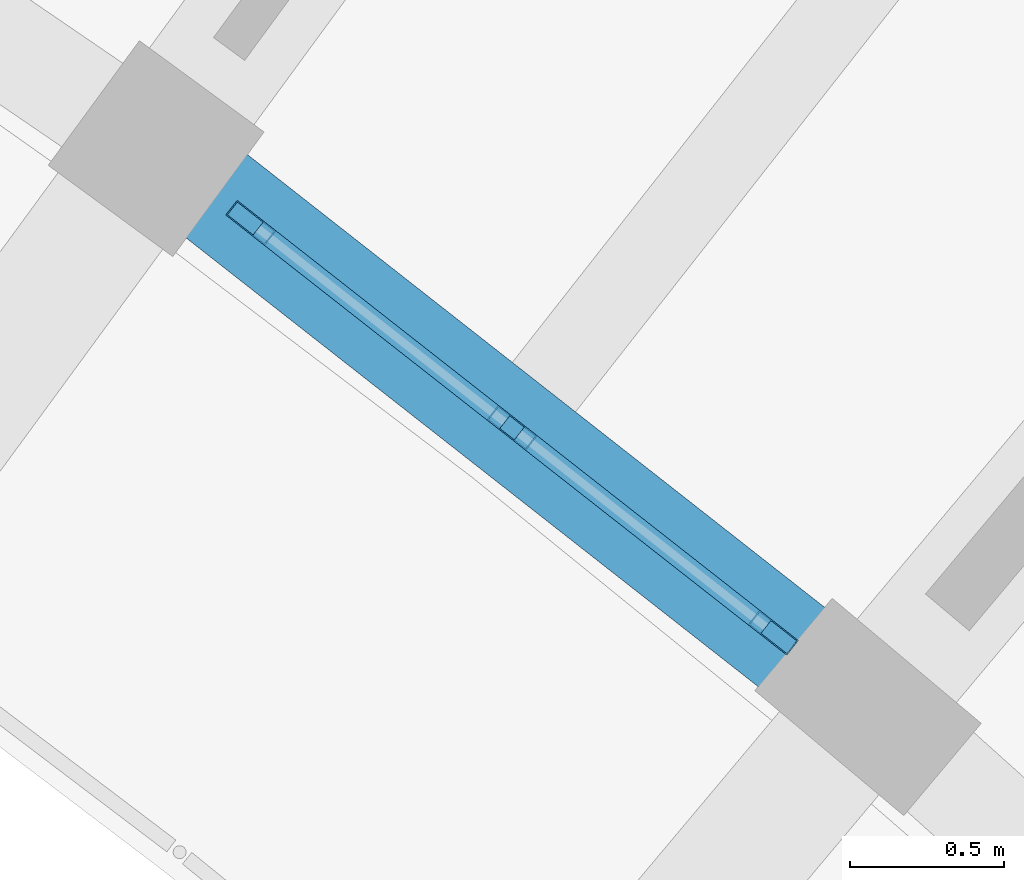
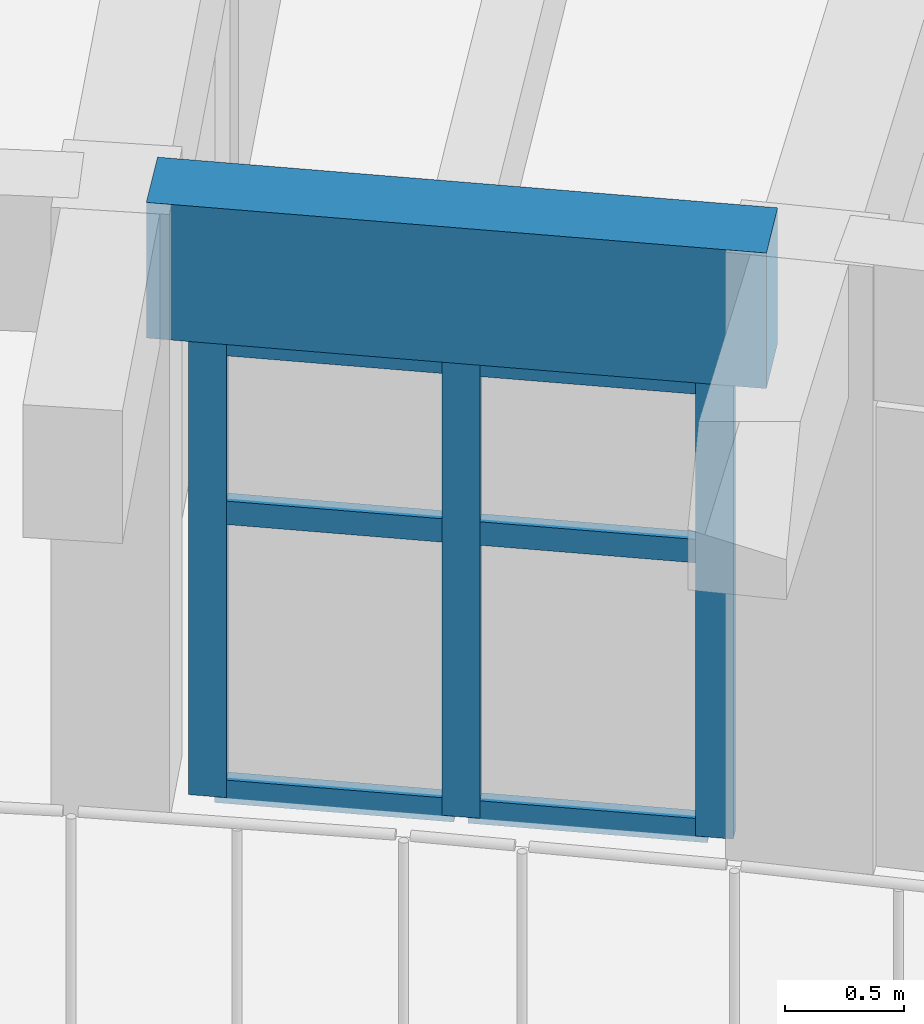
# One storey, part 13 of 56: 9 members, 1 beam, 1 element without a shape of its own.
"""IFC4 building model written with IfcOpenShell, lengths in metres."""

from ifc_helpers import new_model, si_unit, direction, frame, origin, origin_2d, place, context, subcontext, project, spatial, rectangle, hollow_rectangle, extrude, material, material_profile, profile_set, type_object, element, aggregate, save


model = new_model("IFC4")

# Units and contexts
model_context = context("Model", 3, precision=1e-05, world=origin(), true_north=direction((0.0, 1.0)))
body_context = subcontext(model_context, "Body", "Model", "MODEL_VIEW")
ifc_project = project(units=[si_unit("LENGTHUNIT", "METRE"), si_unit("AREAUNIT", "SQUARE_METRE"), si_unit("VOLUMEUNIT", "CUBIC_METRE"), si_unit("PLANEANGLEUNIT", "RADIAN"), si_unit("MASSUNIT", "GRAM", prefix="KILO")], contexts=[model_context])

# Site, building, storey
site_placement = place(None, origin())
site = spatial("IfcSite", under=ifc_project, at=site_placement, CompositionType="ELEMENT")
building_placement = place(site_placement, origin())
building = spatial("IfcBuilding", under=site, at=building_placement, Name="Tanwirah Colonnade Gardens", CompositionType="ELEMENT")
storey_placement = place(building_placement, frame((0.0, 0.0, 29.0)))
storey = spatial("IfcBuildingStorey", under=building, at=storey_placement, Name="L08", CompositionType="ELEMENT", Elevation=29.0)

# Curtain wall, members
ifc_material_1 = material(Name="Bronze-anodised aluminium and solar-control low-E glass", Category="aluminium")
curtain_wall_type = type_object("IfcCurtainWallType", Name="CW-GDN", PredefinedType="NOTDEFINED", material=ifc_material_1)
curtain_wall_placement = place(storey_placement, origin())
curtain_wall = element("IfcCurtainWall", 1, at=curtain_wall_placement, inside=storey, type_object=curtain_wall_type, Name="Curtain Wall CW-B-L08-IN-09", PredefinedType="NOTDEFINED")
ifc_material_2 = material(Name="Bronze-anodised aluminium", Category="aluminium")
ifc_material_profile_1 = material_profile(ifc_material_2, hollow_rectangle(XDim=0.06005859375, YDim=0.159912109375, WallThickness=0.00390625, at=origin_2d()), Name="CW-MUL 60x160x4")
ifc_profile_set_1 = profile_set([ifc_material_profile_1], Name="Bronze-anodised aluminium")
member_type_1 = type_object("IfcMemberType", Name="CWM-60x160", PredefinedType="MULLION", material=ifc_profile_set_1)
member_1_placement = place(storey_placement, frame((149.26513671875, 94.491455078125, 0.0), z_axis=(0.0, 0.0, 1.0), x_axis=(-0.617188542982, -0.786815291166, 0.0)))
member_1 = element("IfcMember", 2, at=member_1_placement, type_object=member_type_1, Name="CW-GDN mullion 1", PredefinedType="MULLION", context=body_context, shape_type="SweptSolid", body=[
    extrude(hollow_rectangle(XDim=0.06005859375, YDim=0.159912109375, WallThickness=0.00390625, at=origin_2d()), origin(), (0.0, 0.0, 1.0), 2.35498046875),
])
member_2_placement = place(storey_placement, frame((148.419189453125, 95.155029296875, 0.0), z_axis=(0.0, 0.0, 1.0), x_axis=(-0.617188542982, -0.786815291166, 0.0)))
member_2 = element("IfcMember", 3, at=member_2_placement, type_object=member_type_1, Name="CW-GDN mullion 2", PredefinedType="MULLION", context=body_context, shape_type="SweptSolid", body=[
    extrude(hollow_rectangle(XDim=0.06005859375, YDim=0.159912109375, WallThickness=0.00390625, at=origin_2d()), origin(), (0.0, 0.0, 1.0), 2.35498046875),
])
member_3_placement = place(storey_placement, frame((147.5732421875, 95.818603515625, 0.0), z_axis=(0.0, 0.0, 1.0), x_axis=(-0.617188542982, -0.786815291166, 0.0)))
member_3 = element("IfcMember", 4, at=member_3_placement, type_object=member_type_1, Name="CW-GDN mullion 3", PredefinedType="MULLION", context=body_context, shape_type="SweptSolid", body=[
    extrude(hollow_rectangle(XDim=0.06005859375, YDim=0.159912109375, WallThickness=0.00390625, at=origin_2d()), origin(), (0.0, 0.0, 1.0), 2.35498046875),
])
ifc_material_profile_2 = material_profile(ifc_material_2, hollow_rectangle(XDim=0.06005859375, YDim=0.1201171875, WallThickness=0.00390625, at=origin_2d()), Name="CW-TRN 60x120x4")
ifc_profile_set_2 = profile_set([ifc_material_profile_2], Name="Bronze-anodised aluminium")
member_type_2 = type_object("IfcMemberType", Name="CWT-60x120", PredefinedType="USERDEFINED", material=ifc_profile_set_2)
member_4_placement = place(storey_placement, frame((149.241455078125, 94.510009765625, 0.030029296875), z_axis=(-0.786885474084, 0.617099060666, 0.0), x_axis=(-0.617099060666, -0.786885474084, 0.0)))
member_4 = element("IfcMember", 5, at=member_4_placement, type_object=member_type_2, Name="CW-GDN transom 1.1", ObjectType="TRANSOM", PredefinedType="USERDEFINED", context=body_context, shape_type="SweptSolid", body=[
    extrude(hollow_rectangle(XDim=0.06005859375, YDim=0.1201171875, WallThickness=0.00390625, at=origin_2d()), origin(), (0.0, 0.0, 1.0), 1.01513671875),
])
member_5_placement = place(storey_placement, frame((149.241455078125, 94.510009765625, 1.460205078125), z_axis=(-0.786885474084, 0.617099060666, 0.0), x_axis=(-0.617099060666, -0.786885474084, 0.0)))
member_5 = element("IfcMember", 6, at=member_5_placement, type_object=member_type_2, Name="CW-GDN transom 1.2", ObjectType="TRANSOM", PredefinedType="USERDEFINED", context=body_context, shape_type="SweptSolid", body=[
    extrude(hollow_rectangle(XDim=0.06005859375, YDim=0.1201171875, WallThickness=0.00390625, at=origin_2d()), origin(), (0.0, 0.0, 1.0), 1.01513671875),
])
member_6_placement = place(storey_placement, frame((149.241455078125, 94.510009765625, 2.324951171875), z_axis=(-0.786885474084, 0.617099060666, 0.0), x_axis=(-0.617099060666, -0.786885474084, 0.0)))
member_6 = element("IfcMember", 7, at=member_6_placement, type_object=member_type_2, Name="CW-GDN transom 1.3", ObjectType="TRANSOM", PredefinedType="USERDEFINED", context=body_context, shape_type="SweptSolid", body=[
    extrude(hollow_rectangle(XDim=0.06005859375, YDim=0.1201171875, WallThickness=0.00390625, at=origin_2d()), origin(), (0.0, 0.0, 1.0), 1.01513671875),
])
member_7_placement = place(storey_placement, frame((148.3955078125, 95.17333984375, 0.030029296875), z_axis=(-0.786768698357, 0.617247936639, 0.0), x_axis=(-0.617247936639, -0.786768698357, 0.0)))
member_7 = element("IfcMember", 8, at=member_7_placement, type_object=member_type_2, Name="CW-GDN transom 2.1", ObjectType="TRANSOM", PredefinedType="USERDEFINED", context=body_context, shape_type="SweptSolid", body=[
    extrude(hollow_rectangle(XDim=0.06005859375, YDim=0.1201171875, WallThickness=0.00390625, at=origin_2d()), origin(), (0.0, 0.0, 1.0), 1.015380859375),
])
member_8_placement = place(storey_placement, frame((148.3955078125, 95.17333984375, 1.460205078125), z_axis=(-0.786768698357, 0.617247936639, 0.0), x_axis=(-0.617247936639, -0.786768698357, 0.0)))
member_8 = element("IfcMember", 9, at=member_8_placement, type_object=member_type_2, Name="CW-GDN transom 2.2", ObjectType="TRANSOM", PredefinedType="USERDEFINED", context=body_context, shape_type="SweptSolid", body=[
    extrude(hollow_rectangle(XDim=0.06005859375, YDim=0.1201171875, WallThickness=0.00390625, at=origin_2d()), origin(), (0.0, 0.0, 1.0), 1.015380859375),
])
member_9_placement = place(storey_placement, frame((148.3955078125, 95.17333984375, 2.324951171875), z_axis=(-0.786768698357, 0.617247936639, 0.0), x_axis=(-0.617247936639, -0.786768698357, 0.0)))
member_9 = element("IfcMember", 10, at=member_9_placement, type_object=member_type_2, Name="CW-GDN transom 2.3", ObjectType="TRANSOM", PredefinedType="USERDEFINED", context=body_context, shape_type="SweptSolid", body=[
    extrude(hollow_rectangle(XDim=0.06005859375, YDim=0.1201171875, WallThickness=0.00390625, at=origin_2d()), origin(), (0.0, 0.0, 1.0), 1.015380859375),
])
aggregate(curtain_wall, [member_1, member_2, member_3, member_4, member_5, member_6, member_7, member_8, member_9])

# Beam
ifc_material_3 = material(Name="Precast concrete C40/50", Category="concrete")
ifc_material_profile_3 = material_profile(ifc_material_3, rectangle(XDim=0.3349609375, YDim=0.695068359375, at=origin_2d()), Name="PC-SP 335x695")
ifc_profile_set_3 = profile_set([ifc_material_profile_3], Name="Precast concrete C40/50")
beam_type = type_object("IfcBeamType", Name="SP-PC300", PredefinedType="SPANDREL", material=ifc_profile_set_3)
beam_placement = place(storey_placement, frame((149.453857421875, 94.34326171875, 2.767578125), z_axis=(-0.786836625031, 0.617161344795, 0.0), x_axis=(-0.617161344795, -0.786836625031, 0.0)))
element("IfcBeam", 11, at=beam_placement, inside=storey, type_object=beam_type, Name="Block B L08 Circumferential Beam 9-R0", PredefinedType="SPANDREL", context=body_context, shape_type="SweptSolid", body=[
    extrude(rectangle(XDim=0.3349609375, YDim=0.695068359375, at=origin_2d()), origin(), (0.0, 0.0, 1.0), 2.63037109375),
])

save(model, "model.ifc")
